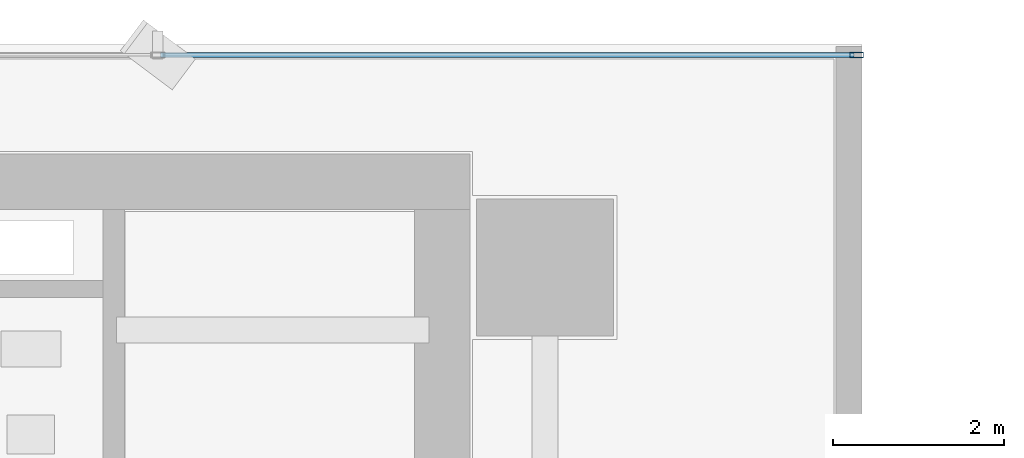
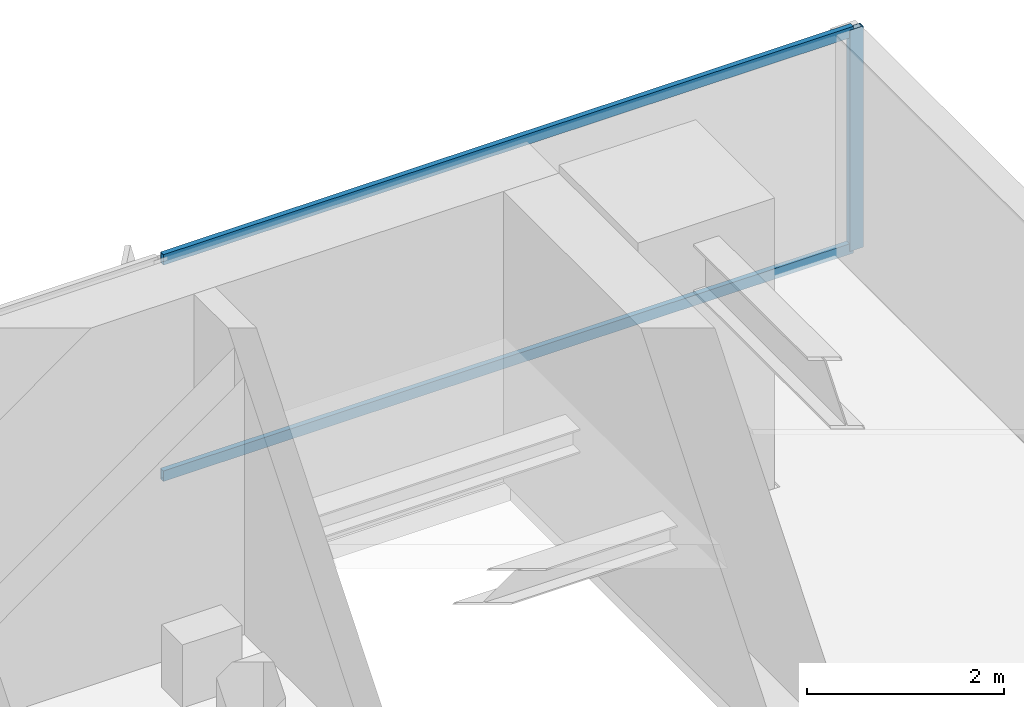
# One storey, part 26 of 36: 3 members, 1 element without a shape of its own.
"""IFC4 building model written with IfcOpenShell, lengths in metres."""

from ifc_helpers import new_model, si_unit, direction, frame, origin, origin_2d, place, context, subcontext, project, spatial, hollow_rectangle, extrude, source, transform, mapped, material, layer, layer_set, material_profile, profile_set, type_object, element, aggregate, save


model = new_model("IFC4")

# Units and contexts
model_context = context("Model", 3, precision=1e-05, world=origin(), true_north=direction((0.0, 1.0)))
body_context = subcontext(model_context, "Body", "Model", "MODEL_VIEW")
ifc_project = project(units=[si_unit("LENGTHUNIT", "METRE"), si_unit("AREAUNIT", "SQUARE_METRE"), si_unit("VOLUMEUNIT", "CUBIC_METRE"), si_unit("PLANEANGLEUNIT", "RADIAN"), si_unit("MASSUNIT", "GRAM", prefix="KILO")], contexts=[model_context])

# Site, building, storey
site_placement = place(None, origin())
site = spatial("IfcSite", under=ifc_project, at=site_placement, CompositionType="ELEMENT")
building_placement = place(site_placement, origin())
building = spatial("IfcBuilding", under=site, at=building_placement, Name="Sumidabori Civic Tower", CompositionType="ELEMENT")
storey_placement = place(building_placement, frame((0.0, 0.0, 113.60009765625)))
storey = spatial("IfcBuildingStorey", under=building, at=storey_placement, Name="L29", CompositionType="ELEMENT", Elevation=113.60009765625)

# Curtain wall, members
ifc_material = material(Name="Anodised Bronze Aluminium AW-6063-T6", Category="aluminium")
ifc_layer = layer(ifc_material, 0.179931640625, Name="Anodised Bronze Aluminium AW-6063-T6")
ifc_layer_set = layer_set([ifc_layer], Name="Anodised Bronze Aluminium AW-6063-T6")
curtain_wall_type = type_object("IfcCurtainWallType", Name="CW-SYS-3", PredefinedType="NOTDEFINED", material=ifc_layer_set)
curtain_wall_placement = place(storey_placement, origin())
curtain_wall = element("IfcCurtainWall", 1, at=curtain_wall_placement, inside=storey, type_object=curtain_wall_type, Name="Curtain Wall CW:L29:R07", PredefinedType="NOTDEFINED")
ifc_material_profile_1 = material_profile(ifc_material, hollow_rectangle(XDim=0.06494140625, YDim=0.159912109375, WallThickness=0.0048828125, at=origin_2d()), Name="ALU MULLION 160x65")
ifc_profile_set_1 = profile_set([ifc_material_profile_1], Name="Anodised Bronze Aluminium AW-6063-T6")
member_type_1 = type_object("IfcMemberType", Name="CW-MUL-160", PredefinedType="MULLION", material=ifc_profile_set_1)
shared_shape_1 = source(origin(), body_context, "Body", "SweptSolid", [
    extrude(hollow_rectangle(XDim=0.06494140625, YDim=0.159912109375, WallThickness=0.0048828125, at=origin_2d()), origin(), (0.0, 0.0, 1.0), 2.739990234375),
])
member_1_placement = place(storey_placement, frame((20.4375, 25.280029296875, 0.0), z_axis=(0.0, 0.0, 1.0), x_axis=(0.0, -1.0, 0.0)))
member_1 = element("IfcMember", 2, at=member_1_placement, type_object=member_type_1, Name="CW-3 mullion 1", PredefinedType="MULLION", context=body_context, shape_type="MappedRepresentation", body=[
    mapped(shared_shape_1, transform((0.0, 0.0, 0.0), x_axis=(1.0, 0.0, 0.0), y_axis=(0.0, 1.0, 0.0), z_axis=(0.0, 0.0, 1.0), scale=1.0)),
])
ifc_material_profile_2 = material_profile(ifc_material, hollow_rectangle(XDim=0.06005859375, YDim=0.1298828125, WallThickness=0.0048828125, at=origin_2d()), Name="ALU TRANSOM 130x60")
ifc_profile_set_2 = profile_set([ifc_material_profile_2], Name="Anodised Bronze Aluminium AW-6063-T6")
member_type_2 = type_object("IfcMemberType", Name="CW-TRN-130", PredefinedType="USERDEFINED", material=ifc_profile_set_2)
shared_shape_2 = source(origin(), body_context, "Body", "SweptSolid", [
    extrude(hollow_rectangle(XDim=0.06005859375, YDim=0.1298828125, WallThickness=0.0048828125, at=origin_2d()), origin(), (0.0, 0.0, 1.0), 8.090576171875),
])
member_2_placement = place(storey_placement, frame((20.405029296875, 25.280029296875, 0.02978515625), z_axis=(-1.0, 0.0, 0.0), x_axis=(0.0, -1.0, 0.0)))
member_2 = element("IfcMember", 3, at=member_2_placement, type_object=member_type_2, Name="CW-3 transom 1.1", ObjectType="TRANSOM", PredefinedType="USERDEFINED", context=body_context, shape_type="MappedRepresentation", body=[
    mapped(shared_shape_2, transform((0.0, 0.0, 0.0), x_axis=(1.0, 0.0, 0.0), y_axis=(0.0, 1.0, 0.0), z_axis=(0.0, 0.0, 1.0), scale=1.0)),
])
member_3_placement = place(storey_placement, frame((20.405029296875, 25.280029296875, 2.7099609375), z_axis=(-1.0, 0.0, 0.0), x_axis=(0.0, -1.0, 0.0)))
member_3 = element("IfcMember", 4, at=member_3_placement, type_object=member_type_2, Name="CW-3 transom 1.2", ObjectType="TRANSOM", PredefinedType="USERDEFINED", context=body_context, shape_type="MappedRepresentation", body=[
    mapped(shared_shape_2, transform((0.0, 0.0, 0.0), x_axis=(1.0, 0.0, 0.0), y_axis=(0.0, 1.0, 0.0), z_axis=(0.0, 0.0, 1.0), scale=1.0)),
])
aggregate(curtain_wall, [member_1, member_2, member_3])

save(model, "model.ifc")
